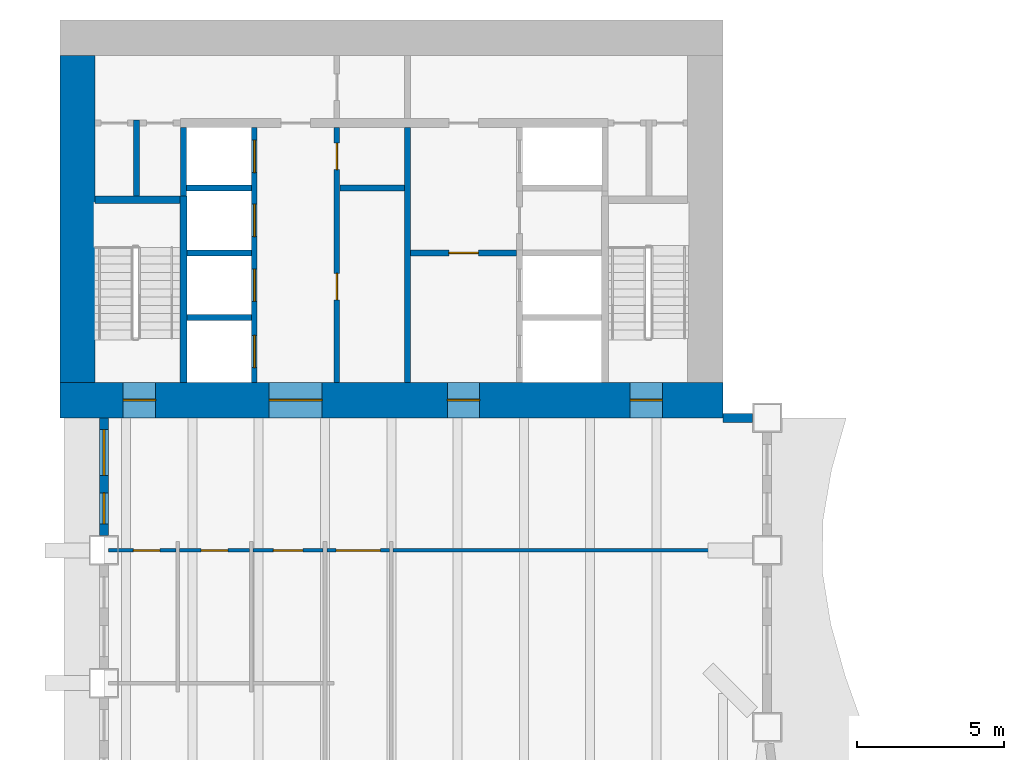
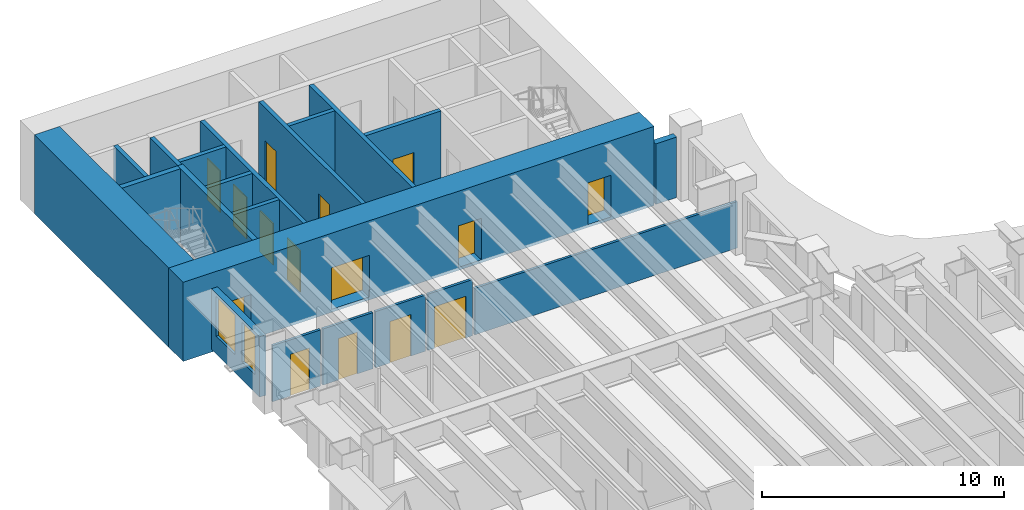
# One storey, part 8 of 16: 21 walls, 15 doors, 2 windows, 17 openings.
"""IFC4 building model written with IfcOpenShell, lengths in metres."""

import ifcopenshell
import ifcopenshell.guid

model = None  # the IFC model being written
_history = None  # IfcOwnerHistory: only IFC2X3 demands one
_inside = {}  # id of a spatial element -> (the spatial element, [elements in it])
_under = {}  # id of a project, library or spatial element -> (it, [spatial elements below it])
_declared = {}  # id of a project -> (the project, [libraries it declares])
_typed = {}  # id of a type object -> (the type object, [elements of that type])
_made_of = {}  # id of a material, layer set ... -> (it, [elements and type objects made of it])


def new_model(schema):
    """Start an empty IFC model of exactly this schema.

    Asked for "IFC4X3", IfcOpenShell would pick the latest addendum, in which some entities
    have other attributes; the version numbers below select the first issue.
    IFC2X3 requires an IfcOwnerHistory on every rooted entity: one is made here for all.
    """
    global model, _history
    if schema == "IFC4X3":
        model = ifcopenshell.file(schema_version=(4, 3, 0, 0))
    else:
        model = ifcopenshell.file(schema=schema)
    _inside.clear()
    _under.clear()
    _declared.clear()
    _typed.clear()
    _made_of.clear()
    _history = None
    if model.schema == "IFC2X3":
        org = make("IfcOrganization", Name="unknown")
        user = make(
            "IfcPersonAndOrganization",
            ThePerson=make("IfcPerson", FamilyName="unknown"),
            TheOrganization=org,
        )
        app = make(
            "IfcApplication",
            ApplicationDeveloper=org,
            Version="unknown",
            ApplicationFullName="unknown",
            ApplicationIdentifier="unknown",
        )
        _history = make(
            "IfcOwnerHistory",
            OwningUser=user,
            OwningApplication=app,
            ChangeAction="ADDED",
            CreationDate=0,
        )
    return model


def make(cls, **values):
    """One entity of the class cls with the attributes given. An attribute that is None is left unset."""
    return model.create_entity(
        cls, **{name: value for name, value in values.items() if value is not None}
    )


def rooted(cls, **values):
    """An entity with a GlobalId (a new one), such as an element, a storey or a relation."""
    return make(cls, GlobalId=ifcopenshell.guid.new(), OwnerHistory=_history, **values)


def si_unit(unit_type, name, prefix=None):
    """IfcSIUnit, for example si_unit("LENGTHUNIT", "METRE", prefix="MILLI")."""
    return make("IfcSIUnit", UnitType=unit_type, Prefix=prefix, Name=name)


def assignment(units):
    """IfcUnitAssignment: the units of a project."""
    return None if units is None else make("IfcUnitAssignment", Units=units)


def point(xyz):
    """IfcCartesianPoint."""
    return None if xyz is None else make("IfcCartesianPoint", Coordinates=xyz)


def direction(xyz):
    """IfcDirection."""
    return None if xyz is None else make("IfcDirection", DirectionRatios=xyz)


def frame(location, z_axis=None, x_axis=None):
    """IfcAxis2Placement3D, a coordinate frame: its origin and axes. An axis left out is left unset."""
    return make(
        "IfcAxis2Placement3D",
        Location=point(location),
        Axis=direction(z_axis),
        RefDirection=direction(x_axis),
    )


def frame_2d(location, x_axis=None):
    """IfcAxis2Placement2D, a coordinate frame in the plane: its origin and x axis."""
    return make(
        "IfcAxis2Placement2D", Location=point(location), RefDirection=direction(x_axis)
    )


def origin():
    """The frame at (0, 0, 0) with its axes left unset."""
    return frame((0.0, 0.0, 0.0))


def place(relative_to, where):
    """IfcLocalPlacement: puts the frame where relative to a parent placement (None: the world)."""
    return make(
        "IfcLocalPlacement", PlacementRelTo=relative_to, RelativePlacement=where
    )


def context(
    kind, dimensions, precision=None, world=None, true_north=None, identifier=None
):
    """IfcGeometricRepresentationContext, for example the 3D "Model" context."""
    return make(
        "IfcGeometricRepresentationContext",
        ContextIdentifier=identifier,
        ContextType=kind,
        CoordinateSpaceDimension=dimensions,
        Precision=precision,
        WorldCoordinateSystem=world,
        TrueNorth=true_north,
    )


def subcontext(parent, identifier, kind, view, scale=None):
    """IfcGeometricRepresentationSubContext, for example "Body" below "Model"."""
    return make(
        "IfcGeometricRepresentationSubContext",
        ContextIdentifier=identifier,
        ContextType=kind,
        ParentContext=parent,
        TargetScale=scale,
        TargetView=view,
    )


def project(units=None, contexts=None):
    """IfcProject with its units and contexts."""
    return rooted(
        "IfcProject",
        Name="project",
        RepresentationContexts=contexts,
        UnitsInContext=assignment(units),
    )


def spatial(cls, under=None, at=None, **own):
    """A site, building, storey or space (cls), placed at a placement, below another one or the project."""
    s = rooted(cls, ObjectPlacement=at, **own)
    if under is not None:
        _under.setdefault(under.id(), (under, []))[1].append(s)
    return s


def profile(cls, at=None, kind="AREA", **sizes):
    """A parametric profile (cls). Its sizes go by their IFC names, for example OverallWidth=200.0."""
    return make(cls, ProfileType=kind, Position=at, **sizes)


def rectangle(**sizes):
    """IfcRectangleProfileDef."""
    return profile("IfcRectangleProfileDef", **sizes)


def extrude(swept, where, along, depth):
    """IfcExtrudedAreaSolid: the profile swept, set in the frame where, extruded along a direction by depth."""
    return make(
        "IfcExtrudedAreaSolid",
        SweptArea=swept,
        Position=where,
        ExtrudedDirection=direction(along),
        Depth=depth,
    )


def shape(context_of_items, identifier, shape_type, items):
    """IfcShapeRepresentation: the items that make up one representation, for example the "Body"."""
    return make(
        "IfcShapeRepresentation",
        ContextOfItems=context_of_items,
        RepresentationIdentifier=identifier,
        RepresentationType=shape_type,
        Items=items,
    )


def material(Name=None, Category=None):
    """IfcMaterial."""
    return make("IfcMaterial", Name=Name, Category=Category)


def layer(
    of_material, thickness, ventilated=None, Name=None, Category=None, Priority=None
):
    """IfcMaterialLayer: one layer of a wall or slab, of a material (None: an air gap)."""
    return make(
        "IfcMaterialLayer",
        Material=of_material,
        LayerThickness=thickness,
        IsVentilated=ventilated,
        Name=Name,
        Category=Category,
        Priority=Priority,
    )


def layer_set(layers, Name=None):
    """IfcMaterialLayerSet."""
    return make("IfcMaterialLayerSet", MaterialLayers=layers, LayerSetName=Name)


def made_of(thing, what):
    """Note that an element or type object is made of a material, layer set ...; save() writes the relation."""
    if what is not None:
        _made_of.setdefault(what.id(), (what, []))[1].append(thing)
    return thing


def type_object(cls, material=None, **own):
    """A type object (cls), such as IfcWallType, which elements share."""
    return made_of(rooted(cls, **own), material)


def element(
    cls,
    number,
    at=None,
    inside=None,
    cuts=None,
    type_object=None,
    material=None,
    context=None,
    identifier="Body",
    shape_type=None,
    held_by="IfcProductDefinitionShape",
    body=None,
    shapes=None,
    **own,
):
    """One element of the class cls, such as IfcWall. Its Tag is "e" and its number.

    at: its placement. inside: the storey or other place that contains it. cuts: it is an
    opening in that element (IfcRelVoidsElement). A single representation is given by context,
    identifier, shape_type and body (its items); several are given by shapes. held_by: the class
    of the entity that holds the representations. save() writes the other relations.
    """
    e = rooted(cls, Tag="e%d" % number, ObjectPlacement=at, **own)
    if body is not None:
        shapes = [shape(context, identifier, shape_type, body)]
    if shapes is not None:
        e.Representation = make(held_by, Representations=shapes)
    if inside is not None:
        _inside.setdefault(inside.id(), (inside, []))[1].append(e)
    if cuts is not None:
        rooted(
            "IfcRelVoidsElement", RelatingBuildingElement=cuts, RelatedOpeningElement=e
        )
    if type_object is not None:
        _typed.setdefault(type_object.id(), (type_object, []))[1].append(e)
    return made_of(e, material)


def fill(opening, filler):
    """IfcRelFillsElement: the door or window that sits in an opening."""
    return rooted(
        "IfcRelFillsElement",
        RelatingOpeningElement=opening,
        RelatedBuildingElement=filler,
    )


def aggregate(whole, parts):
    """IfcRelAggregates: a whole, such as a stair, and the parts it consists of."""
    return rooted("IfcRelAggregates", RelatingObject=whole, RelatedObjects=parts)


def save(model, path):
    """Write the relations noted so far, then the file.

    IfcRelAggregates (storeys below a building ...), IfcRelContainedInSpatialStructure (elements
    in a storey), IfcRelDefinesByType, IfcRelAssociatesMaterial and IfcRelDeclares: one each for
    every whole, place, type object, material and project.
    """
    for whole, parts in _under.values():
        aggregate(whole, parts)
    for where, things in _inside.values():
        rooted(
            "IfcRelContainedInSpatialStructure",
            RelatedElements=things,
            RelatingStructure=where,
        )
    for kind, things in _typed.values():
        rooted("IfcRelDefinesByType", RelatedObjects=things, RelatingType=kind)
    for what, things in _made_of.values():
        rooted("IfcRelAssociatesMaterial", RelatedObjects=things, RelatingMaterial=what)
    for by, libraries in _declared.values():
        rooted("IfcRelDeclares", RelatingContext=by, RelatedDefinitions=libraries)
    model.write(path)


model = new_model("IFC4")

# Units and contexts
model_context = context("Model", 3, precision=1e-05, world=origin(), true_north=direction((0.0, 1.0)))
body_context = subcontext(model_context, "Body", "Model", "MODEL_VIEW")
ifc_project = project(units=[si_unit("LENGTHUNIT", "METRE"), si_unit("AREAUNIT", "SQUARE_METRE"), si_unit("VOLUMEUNIT", "CUBIC_METRE"), si_unit("PLANEANGLEUNIT", "RADIAN"), si_unit("MASSUNIT", "GRAM", prefix="KILO")], contexts=[model_context])

# Site, building, storey
site_placement = place(None, origin())
site = spatial("IfcSite", under=ifc_project, at=site_placement, CompositionType="ELEMENT")
building_placement = place(site_placement, origin())
building = spatial("IfcBuilding", under=site, at=building_placement, Name="Sennacour Bend Tower", CompositionType="ELEMENT")
storey_placement = place(building_placement, frame((0.0, 0.0, 127.0)))
storey = spatial("IfcBuildingStorey", under=building, at=storey_placement, Name="L29", CompositionType="ELEMENT", Elevation=127.0)

# Wall, openings, doors
ifc_material_1 = material(Name="Concrete C80/95", Category="concrete")
ifc_layer_1 = layer(ifc_material_1, 1.199951171875, Name="Concrete C80/95", Category="concrete")
ifc_layer_set_1 = layer_set([ifc_layer_1], Name="Concrete C80/95")
wall_type_1 = type_object("IfcWallType", Name="Core wall 1200 C80/95", PredefinedType="SHEAR", material=ifc_layer_set_1)
wall_1_placement = place(storey_placement, frame((0.0, 36.60009765625, -0.14990234375), z_axis=(0.0, 0.0, 1.0), x_axis=(1.0, 0.0, 0.0)))
wall_1 = element("IfcWall", 1, at=wall_1_placement, inside=storey, type_object=wall_type_1, Name="Core B wall L29 S", PredefinedType="SHEAR", context=body_context, shape_type="SweptSolid", body=[
    extrude(rectangle(XDim=22.5, YDim=1.199951171875, at=frame_2d((11.25, 0.0))), origin(), (0.0, 0.0, 1.0), 4.0),
])
opening_1_placement = place(wall_1_placement, frame((7.10009765625, 0.0, 0.14990234375)))
opening_1 = element("IfcOpeningElement", 2, at=opening_1_placement, cuts=wall_1, Name="Opening CD", PredefinedType="OPENING", context=body_context, shape_type="SweptSolid", body=[
    extrude(rectangle(XDim=1.800048828125, YDim=2.10009765625, at=frame_2d((0.89990234375, 1.050048828125))), frame((0.0, 0.60986328125, 0.0), z_axis=(0.0, -1.0, 0.0), x_axis=(1.0, 0.0, 0.0)), (0.0, 0.0, 1.0), 1.219970703125),
])
opening_2_placement = place(wall_1_placement, frame((13.14990234375, 0.0, 0.14990234375)))
opening_2 = element("IfcOpeningElement", 3, at=opening_2_placement, cuts=wall_1, Name="Opening FD", PredefinedType="OPENING", context=body_context, shape_type="SweptSolid", body=[
    extrude(rectangle(XDim=1.10009765625, YDim=2.10009765625, at=frame_2d((0.550048828125, 1.050048828125))), frame((0.0, 0.60986328125, 0.0), z_axis=(0.0, -1.0, 0.0), x_axis=(1.0, 0.0, 0.0)), (0.0, 0.0, 1.0), 1.219970703125),
])
opening_3_placement = place(wall_1_placement, frame((2.14990234375, 0.0, 0.14990234375)))
opening_3 = element("IfcOpeningElement", 4, at=opening_3_placement, cuts=wall_1, Name="Opening SD", PredefinedType="OPENING", context=body_context, shape_type="SweptSolid", body=[
    extrude(rectangle(XDim=1.10009765625, YDim=2.10009765625, at=frame_2d((0.550048828125, 1.050048828125))), frame((0.0, 0.60986328125, 0.0), z_axis=(0.0, -1.0, 0.0), x_axis=(1.0, 0.0, 0.0)), (0.0, 0.0, 1.0), 1.219970703125),
])
opening_4_placement = place(wall_1_placement, frame((19.35009765625, 0.0, 0.14990234375)))
opening_4 = element("IfcOpeningElement", 5, at=opening_4_placement, cuts=wall_1, Name="Opening SD", PredefinedType="OPENING", context=body_context, shape_type="SweptSolid", body=[
    extrude(rectangle(XDim=1.10009765625, YDim=2.10009765625, at=frame_2d((0.550048828125, 1.050048828125))), frame((0.0, 0.60986328125, 0.0), z_axis=(0.0, -1.0, 0.0), x_axis=(1.0, 0.0, 0.0)), (0.0, 0.0, 1.0), 1.219970703125),
])
ifc_material_2 = material(Name="Painted steel", Category="steel")
door_type_1 = type_object("IfcDoorType", Name="DR-FFL-1100", OperationType="NOTDEFINED", PredefinedType="DOOR", material=ifc_material_2)
door_1_placement = place(opening_2_placement, origin())
door_1 = element("IfcDoor", 6, at=door_1_placement, inside=storey, type_object=door_type_1, Name="Door", OperationType="SINGLE_SWING_RIGHT", OverallHeight=2.10009765625, OverallWidth=1.10009765625, PredefinedType="DOOR", context=body_context, shape_type="SweptSolid", body=[
    extrude(rectangle(XDim=1.10009765625, YDim=2.10009765625, at=frame_2d((0.550048828125, 1.050048828125))), frame((0.0, 0.02490234375, 0.0), z_axis=(0.0, -1.0, 0.0), x_axis=(1.0, 0.0, 0.0)), (0.0, 0.0, 1.0), 0.050048828125),
])
fill(opening_2, door_1)
door_type_2 = type_object("IfcDoorType", Name="DR-LOBBY-1800", OperationType="NOTDEFINED", PredefinedType="DOOR", material=ifc_material_2)
door_2_placement = place(opening_1_placement, origin())
door_2 = element("IfcDoor", 7, at=door_2_placement, inside=storey, type_object=door_type_2, Name="Door", OperationType="DOUBLE_DOOR_SINGLE_SWING", OverallHeight=2.10009765625, OverallWidth=1.800048828125, PredefinedType="DOOR", context=body_context, shape_type="SweptSolid", body=[
    extrude(rectangle(XDim=1.800048828125, YDim=2.10009765625, at=frame_2d((0.89990234375, 1.050048828125))), frame((0.0, 0.02490234375, 0.0), z_axis=(0.0, -1.0, 0.0), x_axis=(1.0, 0.0, 0.0)), (0.0, 0.0, 1.0), 0.050048828125),
])
fill(opening_1, door_2)
door_type_3 = type_object("IfcDoorType", Name="DR-STAIR-1100", OperationType="NOTDEFINED", PredefinedType="DOOR", material=ifc_material_2)
door_3_placement = place(opening_3_placement, origin())
door_3 = element("IfcDoor", 8, at=door_3_placement, inside=storey, type_object=door_type_3, Name="Door", OperationType="SINGLE_SWING_LEFT", OverallHeight=2.10009765625, OverallWidth=1.10009765625, PredefinedType="DOOR", context=body_context, shape_type="SweptSolid", body=[
    extrude(rectangle(XDim=1.10009765625, YDim=2.10009765625, at=frame_2d((0.550048828125, 1.050048828125))), frame((0.0, 0.02490234375, 0.0), z_axis=(0.0, -1.0, 0.0), x_axis=(1.0, 0.0, 0.0)), (0.0, 0.0, 1.0), 0.050048828125),
])
fill(opening_3, door_3)
door_4_placement = place(opening_4_placement, origin())
door_4 = element("IfcDoor", 9, at=door_4_placement, inside=storey, type_object=door_type_3, Name="Door", OperationType="SINGLE_SWING_RIGHT", OverallHeight=2.10009765625, OverallWidth=1.10009765625, PredefinedType="DOOR", context=body_context, shape_type="SweptSolid", body=[
    extrude(rectangle(XDim=1.10009765625, YDim=2.10009765625, at=frame_2d((0.550048828125, 1.050048828125))), frame((0.0, 0.02490234375, 0.0), z_axis=(0.0, -1.0, 0.0), x_axis=(1.0, 0.0, 0.0)), (0.0, 0.0, 1.0), 0.050048828125),
])
fill(opening_4, door_4)

# Wall
wall_2_placement = place(storey_placement, frame((0.60009765625, 37.199951171875, -0.14990234375), z_axis=(0.0, 0.0, 1.0), x_axis=(0.0, 1.0, 0.0)))
element("IfcWall", 10, at=wall_2_placement, inside=storey, type_object=wall_type_1, Name="Core B wall L29 W", PredefinedType="SHEAR", context=body_context, shape_type="SweptSolid", body=[
    extrude(rectangle(XDim=11.10009765625, YDim=1.199951171875, at=frame_2d((5.550048828125, 0.0))), origin(), (0.0, 0.0, 1.0), 4.0),
])

# Wall, opening, door
ifc_material_3 = material(Name="Plasterboard partition on steel studs", Category="steel")
ifc_layer_2 = layer(ifc_material_3, 0.1201171875, Name="Plasterboard partition on steel studs", Category="steel")
ifc_layer_set_2 = layer_set([ifc_layer_2], Name="Plasterboard partition on steel studs")
wall_type_2 = type_object("IfcWallType", Name="Partition 120", PredefinedType="PARTITIONING", material=ifc_layer_set_2)
wall_3_placement = place(storey_placement, frame((1.64990234375, 31.5, 0.0), z_axis=(0.0, 0.0, 1.0), x_axis=(1.0, 0.0, 0.0)))
wall_3 = element("IfcWall", 11, at=wall_3_placement, inside=storey, type_object=wall_type_2, Name="P-L29-W074aa", PredefinedType="PARTITIONING", context=body_context, shape_type="SweptSolid", body=[
    extrude(rectangle(XDim=2.2900390625, YDim=0.1201171875, at=frame_2d((1.14501953125, 0.0))), origin(), (0.0, 0.0, 1.0), 2.837890625),
])
opening_5_placement = place(wall_3_placement, frame((0.85009765625, 0.0, 0.0)))
opening_5 = element("IfcOpeningElement", 12, at=opening_5_placement, cuts=wall_3, Name="Opening WD", PredefinedType="OPENING", context=body_context, shape_type="SweptSolid", body=[
    extrude(rectangle(XDim=0.89990234375, YDim=2.10009765625, at=frame_2d((0.449951171875, 1.050048828125))), frame((0.0, 0.070068359375, 0.0), z_axis=(0.0, -1.0, 0.0), x_axis=(1.0, 0.0, 0.0)), (0.0, 0.0, 1.0), 0.14013671875),
])
ifc_material_4 = material(Name="Timber", Category="wood")
door_type_4 = type_object("IfcDoorType", Name="DR-WC-900", OperationType="NOTDEFINED", PredefinedType="DOOR", material=ifc_material_4)
door_5_placement = place(opening_5_placement, origin())
door_5 = element("IfcDoor", 13, at=door_5_placement, inside=storey, type_object=door_type_4, Name="Door", OperationType="SINGLE_SWING_RIGHT", OverallHeight=2.10009765625, OverallWidth=0.89990234375, PredefinedType="DOOR", context=body_context, shape_type="SweptSolid", body=[
    extrude(rectangle(XDim=0.89990234375, YDim=2.10009765625, at=frame_2d((0.449951171875, 1.050048828125))), frame((0.0, 0.02490234375, 0.0), z_axis=(0.0, -1.0, 0.0), x_axis=(1.0, 0.0, 0.0)), (0.0, 0.0, 1.0), 0.050048828125),
])
fill(opening_5, door_5)

wall_4_placement = place(storey_placement, frame((4.06005859375, 31.5, 0.0), z_axis=(0.0, 0.0, 1.0), x_axis=(1.0, 0.0, 0.0)))
wall_4 = element("IfcWall", 14, at=wall_4_placement, inside=storey, type_object=wall_type_2, Name="P-L29-W074ab", PredefinedType="PARTITIONING", context=body_context, shape_type="SweptSolid", body=[
    extrude(rectangle(XDim=2.3798828125, YDim=0.1201171875, at=frame_2d((1.18994140625, 0.0))), origin(), (0.0, 0.0, 1.0), 2.837890625),
])
opening_6_placement = place(wall_4_placement, frame((0.739990234375, 0.0, 0.0)))
opening_6 = element("IfcOpeningElement", 15, at=opening_6_placement, cuts=wall_4, Name="Opening WD", PredefinedType="OPENING", context=body_context, shape_type="SweptSolid", body=[
    extrude(rectangle(XDim=0.89990234375, YDim=2.10009765625, at=frame_2d((0.449951171875, 1.050048828125))), frame((0.0, 0.070068359375, 0.0), z_axis=(0.0, -1.0, 0.0), x_axis=(1.0, 0.0, 0.0)), (0.0, 0.0, 1.0), 0.14013671875),
])
door_6_placement = place(opening_6_placement, origin())
door_6 = element("IfcDoor", 16, at=door_6_placement, inside=storey, type_object=door_type_4, Name="Door", OperationType="SINGLE_SWING_LEFT", OverallHeight=2.10009765625, OverallWidth=0.89990234375, PredefinedType="DOOR", context=body_context, shape_type="SweptSolid", body=[
    extrude(rectangle(XDim=0.89990234375, YDim=2.10009765625, at=frame_2d((0.449951171875, 1.050048828125))), frame((0.0, 0.02490234375, 0.0), z_axis=(0.0, -1.0, 0.0), x_axis=(1.0, 0.0, 0.0)), (0.0, 0.0, 1.0), 0.050048828125),
])
fill(opening_6, door_6)

wall_5_placement = place(storey_placement, frame((6.56005859375, 31.5, 0.0), z_axis=(0.0, 0.0, 1.0), x_axis=(1.0, 0.0, 0.0)))
wall_5 = element("IfcWall", 17, at=wall_5_placement, inside=storey, type_object=wall_type_2, Name="P-L29-W074ac", PredefinedType="PARTITIONING", context=body_context, shape_type="SweptSolid", body=[
    extrude(rectangle(XDim=2.3798828125, YDim=0.1201171875, at=frame_2d((1.18994140625, 0.0))), origin(), (0.0, 0.0, 1.0), 2.837890625),
])
opening_7_placement = place(wall_5_placement, frame((0.68994140625, 0.0, 0.0)))
opening_7 = element("IfcOpeningElement", 18, at=opening_7_placement, cuts=wall_5, Name="Opening AD", PredefinedType="OPENING", context=body_context, shape_type="SweptSolid", body=[
    extrude(rectangle(XDim=1.0, YDim=2.10009765625, at=frame_2d((0.5, 1.050048828125))), frame((0.0, 0.070068359375, 0.0), z_axis=(0.0, -1.0, 0.0), x_axis=(1.0, 0.0, 0.0)), (0.0, 0.0, 1.0), 0.14013671875),
])
door_type_5 = type_object("IfcDoorType", Name="DR-ACC-WC-1000", OperationType="NOTDEFINED", PredefinedType="DOOR", material=ifc_material_4)
door_7_placement = place(opening_7_placement, origin())
door_7 = element("IfcDoor", 19, at=door_7_placement, inside=storey, type_object=door_type_5, Name="Door", OperationType="SINGLE_SWING_LEFT", OverallHeight=2.10009765625, OverallWidth=1.0, PredefinedType="DOOR", context=body_context, shape_type="SweptSolid", body=[
    extrude(rectangle(XDim=1.0, YDim=2.10009765625, at=frame_2d((0.5, 1.050048828125))), frame((0.0, 0.02490234375, 0.0), z_axis=(0.0, -1.0, 0.0), x_axis=(1.0, 0.0, 0.0)), (0.0, 0.0, 1.0), 0.050048828125),
])
fill(opening_7, door_7)

# Wall
wall_6_placement = place(storey_placement, frame((11.31005859375, 31.5, 0.0), z_axis=(0.0, 0.0, 1.0), x_axis=(1.0, 0.0, 0.0)))
element("IfcWall", 20, at=wall_6_placement, inside=storey, type_object=wall_type_2, Name="P-L29-W074ae", PredefinedType="PARTITIONING", context=body_context, shape_type="SweptSolid", body=[
    extrude(rectangle(XDim=12.5400390625, YDim=0.1201171875, at=frame_2d((6.27001953125, 0.0))), origin(), (0.0, 0.0, 1.0), 2.35009765625),
])

# Wall, opening, door
ifc_layer_3 = layer(ifc_material_3, 0.1201171875, Name="Plasterboard partition on steel studs", Category="steel")
ifc_layer_set_3 = layer_set([ifc_layer_3], Name="Plasterboard partition on steel studs")
wall_type_3 = type_object("IfcWallType", Name="Partition 120 EI 30", PredefinedType="PARTITIONING", material=ifc_layer_set_3)
wall_7_placement = place(storey_placement, frame((9.06005859375, 31.5, 0.0), z_axis=(0.0, 0.0, 1.0), x_axis=(1.0, 0.0, 0.0)))
wall_7 = element("IfcWall", 21, at=wall_7_placement, inside=storey, type_object=wall_type_3, Name="P-L29-W074ad", PredefinedType="PARTITIONING", context=body_context, shape_type="SweptSolid", body=[
    extrude(rectangle(XDim=2.1298828125, YDim=0.1201171875, at=frame_2d((1.06494140625, 0.0))), origin(), (0.0, 0.0, 1.0), 2.837890625),
])
opening_8_placement = place(wall_7_placement, frame((0.31494140625, 0.0, 0.0)))
opening_8 = element("IfcOpeningElement", 22, at=opening_8_placement, cuts=wall_7, Name="Opening KD", PredefinedType="OPENING", context=body_context, shape_type="SweptSolid", body=[
    extrude(rectangle(XDim=1.5, YDim=2.10009765625, at=frame_2d((0.75, 1.050048828125))), frame((0.0, 0.070068359375, 0.0), z_axis=(0.0, -1.0, 0.0), x_axis=(1.0, 0.0, 0.0)), (0.0, 0.0, 1.0), 0.14013671875),
])
door_type_6 = type_object("IfcDoorType", Name="DR-CORRIDOR-1500", OperationType="NOTDEFINED", PredefinedType="DOOR", material=ifc_material_2)
door_8_placement = place(opening_8_placement, origin())
door_8 = element("IfcDoor", 23, at=door_8_placement, inside=storey, type_object=door_type_6, Name="Door", OperationType="SINGLE_SWING_LEFT", OverallHeight=2.10009765625, OverallWidth=1.5, PredefinedType="DOOR", context=body_context, shape_type="SweptSolid", body=[
    extrude(rectangle(XDim=1.5, YDim=2.10009765625, at=frame_2d((0.75, 1.050048828125))), frame((0.0, 0.02490234375, 0.0), z_axis=(0.0, -1.0, 0.0), x_axis=(1.0, 0.0, 0.0)), (0.0, 0.0, 1.0), 0.050048828125),
])
fill(opening_8, door_8)

# Wall
ifc_material_5 = material(Name="Fire-rated plasterboard partition on steel studs", Category="steel")
ifc_layer_4 = layer(ifc_material_5, 0.199951171875, Name="Fire-rated plasterboard partition on steel studs", Category="steel")
ifc_layer_set_4 = layer_set([ifc_layer_4], Name="Fire-rated plasterboard partition on steel studs")
wall_type_4 = type_object("IfcWallType", Name="Rated partition 200", PredefinedType="PARTITIONING", material=ifc_layer_set_4)
wall_8_placement = place(storey_placement, frame((2.60009765625, 43.52490234375, 0.0), z_axis=(0.0, 0.0, 1.0), x_axis=(0.0, 1.0, 0.0)))
element("IfcWall", 24, at=wall_8_placement, inside=storey, type_object=wall_type_4, Name="P-L29-W004", PredefinedType="PARTITIONING", context=body_context, shape_type="SweptSolid", body=[
    extrude(rectangle(XDim=2.5751953125, YDim=0.199951171875, at=frame_2d((1.28759765625, 0.0))), origin(), (0.0, 0.0, 1.0), 3.75),
])

# Wall, openings, doors
wall_9_placement = place(storey_placement, frame((9.39990234375, 37.199951171875, 0.0), z_axis=(0.0, 0.0, 1.0), x_axis=(0.0, 1.0, 0.0)))
wall_9 = element("IfcWall", 25, at=wall_9_placement, inside=storey, type_object=wall_type_4, Name="P-L29-W012a", PredefinedType="PARTITIONING", context=body_context, shape_type="SweptSolid", body=[
    extrude(rectangle(XDim=8.650146484375, YDim=0.199951171875, at=frame_2d((4.3251953125, 0.0))), origin(), (0.0, 0.0, 1.0), 3.75),
])
opening_9_placement = place(wall_9_placement, frame((2.800048828125, 0.0, 0.0)))
opening_9 = element("IfcOpeningElement", 26, at=opening_9_placement, cuts=wall_9, Name="Opening SV", PredefinedType="OPENING", context=body_context, shape_type="SweptSolid", body=[
    extrude(rectangle(XDim=0.89990234375, YDim=2.10009765625, at=frame_2d((0.449951171875, 1.050048828125))), frame((0.0, 0.10986328125, 0.0), z_axis=(0.0, -1.0, 0.0), x_axis=(1.0, 0.0, 0.0)), (0.0, 0.0, 1.0), 0.219970703125),
])
opening_10_placement = place(wall_9_placement, frame((7.22509765625, 0.0, 0.0)))
opening_10 = element("IfcOpeningElement", 27, at=opening_10_placement, cuts=wall_9, Name="Opening SV", PredefinedType="OPENING", context=body_context, shape_type="SweptSolid", body=[
    extrude(rectangle(XDim=0.89990234375, YDim=2.10009765625, at=frame_2d((0.449951171875, 1.050048828125))), frame((0.0, 0.10986328125, 0.0), z_axis=(0.0, -1.0, 0.0), x_axis=(1.0, 0.0, 0.0)), (0.0, 0.0, 1.0), 0.219970703125),
])
door_type_7 = type_object("IfcDoorType", Name="DR-SERVICE-900", OperationType="NOTDEFINED", PredefinedType="DOOR", material=ifc_material_2)
door_9_placement = place(opening_9_placement, origin())
door_9 = element("IfcDoor", 28, at=door_9_placement, inside=storey, type_object=door_type_7, Name="Door", OperationType="SINGLE_SWING_LEFT", OverallHeight=2.10009765625, OverallWidth=0.89990234375, PredefinedType="DOOR", context=body_context, shape_type="SweptSolid", body=[
    extrude(rectangle(XDim=0.89990234375, YDim=2.10009765625, at=frame_2d((0.449951171875, 1.050048828125))), frame((0.0, 0.02490234375, 0.0), z_axis=(0.0, -1.0, 0.0), x_axis=(1.0, 0.0, 0.0)), (0.0, 0.0, 1.0), 0.050048828125),
])
fill(opening_9, door_9)
door_10_placement = place(opening_10_placement, origin())
door_10 = element("IfcDoor", 29, at=door_10_placement, inside=storey, type_object=door_type_7, Name="Door", OperationType="SINGLE_SWING_RIGHT", OverallHeight=2.10009765625, OverallWidth=0.89990234375, PredefinedType="DOOR", context=body_context, shape_type="SweptSolid", body=[
    extrude(rectangle(XDim=0.89990234375, YDim=2.10009765625, at=frame_2d((0.449951171875, 1.050048828125))), frame((0.0, 0.02490234375, 0.0), z_axis=(0.0, -1.0, 0.0), x_axis=(1.0, 0.0, 0.0)), (0.0, 0.0, 1.0), 0.050048828125),
])
fill(opening_10, door_10)

# Walls
wall_10_placement = place(storey_placement, frame((11.800048828125, 37.199951171875, 0.0), z_axis=(0.0, 0.0, 1.0), x_axis=(0.0, 1.0, 0.0)))
element("IfcWall", 30, at=wall_10_placement, inside=storey, type_object=wall_type_4, Name="P-L29-W014a", PredefinedType="PARTITIONING", context=body_context, shape_type="SweptSolid", body=[
    extrude(rectangle(XDim=8.650146484375, YDim=0.199951171875, at=frame_2d((4.3251953125, 0.0))), origin(), (0.0, 0.0, 1.0), 3.75),
])
wall_11_placement = place(storey_placement, frame((9.5, 43.800048828125, 0.0), z_axis=(0.0, 0.0, 1.0), x_axis=(1.0, 0.0, 0.0)))
element("IfcWall", 31, at=wall_11_placement, inside=storey, type_object=wall_type_4, Name="P-L29-W084", PredefinedType="PARTITIONING", context=body_context, shape_type="SweptSolid", body=[
    extrude(rectangle(XDim=2.199951171875, YDim=0.199951171875, at=frame_2d((1.10009765625, 0.0))), origin(), (0.0, 0.0, 1.0), 3.75),
])

# Wall, opening, door
ifc_layer_5 = layer(ifc_material_5, 0.199951171875, Name="Fire-rated plasterboard partition on steel studs", Category="steel")
ifc_layer_set_5 = layer_set([ifc_layer_5], Name="Fire-rated plasterboard partition on steel studs")
wall_type_5 = type_object("IfcWallType", Name="Rated partition 200 EI 90", PredefinedType="PARTITIONING", material=ifc_layer_set_5)
wall_12_placement = place(storey_placement, frame((11.89990234375, 41.60009765625, 0.0), z_axis=(0.0, 0.0, 1.0), x_axis=(1.0, 0.0, 0.0)))
wall_12 = element("IfcWall", 32, at=wall_12_placement, inside=storey, type_object=wall_type_5, Name="P-L29-W079", PredefinedType="PARTITIONING", context=body_context, shape_type="SweptSolid", body=[
    extrude(rectangle(XDim=3.60009765625, YDim=0.199951171875, at=frame_2d((1.800048828125, 0.0))), origin(), (0.0, 0.0, 1.0), 3.75),
])
opening_11_placement = place(wall_12_placement, frame((1.300048828125, 0.0, 0.0)))
opening_11 = element("IfcOpeningElement", 33, at=opening_11_placement, cuts=wall_12, Name="Opening FD2", PredefinedType="OPENING", context=body_context, shape_type="SweptSolid", body=[
    extrude(rectangle(XDim=1.0, YDim=2.10009765625, at=frame_2d((0.5, 1.050048828125))), frame((0.0, 0.10986328125, 0.0), z_axis=(0.0, -1.0, 0.0), x_axis=(1.0, 0.0, 0.0)), (0.0, 0.0, 1.0), 0.219970703125),
])
door_type_8 = type_object("IfcDoorType", Name="DR-FFL-1000", OperationType="NOTDEFINED", PredefinedType="DOOR", material=ifc_material_2)
door_11_placement = place(opening_11_placement, origin())
door_11 = element("IfcDoor", 34, at=door_11_placement, inside=storey, type_object=door_type_8, Name="Door", OperationType="SINGLE_SWING_LEFT", OverallHeight=2.10009765625, OverallWidth=1.0, PredefinedType="DOOR", context=body_context, shape_type="SweptSolid", body=[
    extrude(rectangle(XDim=1.0, YDim=2.10009765625, at=frame_2d((0.5, 1.050048828125))), frame((0.0, 0.02490234375, 0.0), z_axis=(0.0, -1.0, 0.0), x_axis=(1.0, 0.0, 0.0)), (0.0, 0.0, 1.0), 0.050048828125),
])
fill(opening_11, door_11)

# Wall
ifc_material_6 = material(Name="Warm limestone cladding", Category="masonry")
ifc_layer_6 = layer(ifc_material_6, 0.050048828125, Name="Warm limestone cladding", Category="masonry")
ifc_material_7 = material(Name="Precast concrete C40/50", Category="concrete")
ifc_layer_7 = layer(ifc_material_7, 0.25, Name="Precast concrete C40/50", Category="concrete")
ifc_layer_set_6 = layer_set([ifc_layer_6, ifc_layer_7], Name="Precast concrete C40/50 with limestone cladding")
wall_type_6 = type_object("IfcWallType", Name="STONE-CLAD PRECAST SPANDREL 300", PredefinedType="STANDARD", material=ifc_layer_set_6)
wall_13_placement = place(storey_placement, frame((23.5, 36.0, 0.0), z_axis=(0.0, 0.0, 1.0), x_axis=(-1.0, 0.0, 0.0)))
element("IfcWall", 35, at=wall_13_placement, inside=storey, type_object=wall_type_6, Name="Stone spandrel and pier wall L29 14.00", PredefinedType="STANDARD", context=body_context, shape_type="SweptSolid", body=[
    extrude(rectangle(XDim=1.0, YDim=0.300048828125, at=frame_2d((0.5, 0.0))), origin(), (0.0, 0.0, 1.0), 3.053955078125),
])

# Wall, openings, windows
wall_14_placement = place(storey_placement, frame((1.5, 36.0, 0.0), z_axis=(0.0, 0.0, 1.0), x_axis=(0.0, -1.0, 0.0)))
wall_14 = element("IfcWall", 36, at=wall_14_placement, inside=storey, type_object=wall_type_6, Name="Stone spandrel and pier wall L29 19.00", PredefinedType="STANDARD", context=body_context, shape_type="SweptSolid", body=[
    extrude(rectangle(XDim=4.0, YDim=0.300048828125, at=frame_2d((2.0, 0.0))), origin(), (0.0, 0.0, 1.0), 3.053955078125),
])
opening_12_placement = place(wall_14_placement, frame((0.39990234375, 0.0, 0.89990234375)))
opening_12 = element("IfcOpeningElement", 37, at=opening_12_placement, cuts=wall_14, Name="Opening W9", PredefinedType="OPENING", context=body_context, shape_type="SweptSolid", body=[
    extrude(rectangle(XDim=1.550048828125, YDim=2.0, at=frame_2d((0.77490234375, 1.0))), frame((0.0, 0.16015625, 0.0), z_axis=(0.0, -1.0, 0.0), x_axis=(1.0, 0.0, 0.0)), (0.0, 0.0, 1.0), 0.320068359375),
])
opening_13_placement = place(wall_14_placement, frame((2.550048828125, 0.0, 0.89990234375)))
opening_13 = element("IfcOpeningElement", 38, at=opening_13_placement, cuts=wall_14, Name="Opening W13", PredefinedType="OPENING", context=body_context, shape_type="SweptSolid", body=[
    extrude(rectangle(XDim=1.050048828125, YDim=2.0, at=frame_2d((0.52490234375, 1.0))), frame((0.0, 0.16015625, 0.0), z_axis=(0.0, -1.0, 0.0), x_axis=(1.0, 0.0, 0.0)), (0.0, 0.0, 1.0), 0.320068359375),
])
ifc_material_8 = material(Name="Clear low-emissivity glass", Category="glass")
window_type_1 = type_object("IfcWindowType", Name="WIN-RIBBON-1050x2000", PartitioningType="SINGLE_PANEL", PredefinedType="WINDOW", material=ifc_material_8)
window_1_placement = place(opening_13_placement, origin())
window_1 = element("IfcWindow", 39, at=window_1_placement, inside=storey, type_object=window_type_1, Name="Ribbon window L29 19.00.1", OverallHeight=2.0, OverallWidth=1.050048828125, PartitioningType="SINGLE_PANEL", PredefinedType="WINDOW", context=body_context, shape_type="SweptSolid", body=[
    extrude(rectangle(XDim=1.050048828125, YDim=2.0, at=frame_2d((0.52490234375, 1.0))), frame((0.0, 0.030029296875, 0.0), z_axis=(0.0, -1.0, 0.0), x_axis=(1.0, 0.0, 0.0)), (0.0, 0.0, 1.0), 0.06005859375),
])
fill(opening_13, window_1)
window_type_2 = type_object("IfcWindowType", Name="WIN-RIBBON-1550x2000", PartitioningType="SINGLE_PANEL", PredefinedType="WINDOW", material=ifc_material_8)
window_2_placement = place(opening_12_placement, origin())
window_2 = element("IfcWindow", 40, at=window_2_placement, inside=storey, type_object=window_type_2, Name="Ribbon window L29 19.00.0", OverallHeight=2.0, OverallWidth=1.550048828125, PartitioningType="SINGLE_PANEL", PredefinedType="WINDOW", context=body_context, shape_type="SweptSolid", body=[
    extrude(rectangle(XDim=1.550048828125, YDim=2.0, at=frame_2d((0.77490234375, 1.0))), frame((0.0, 0.030029296875, 0.0), z_axis=(0.0, -1.0, 0.0), x_axis=(1.0, 0.0, 0.0)), (0.0, 0.0, 1.0), 0.06005859375),
])
fill(opening_12, window_2)

# Wall
ifc_material_9 = material(Name="Concrete C50/60", Category="concrete")
ifc_layer_8 = layer(ifc_material_9, 0.199951171875, Name="Concrete C50/60", Category="concrete")
ifc_layer_set_7 = layer_set([ifc_layer_8], Name="Concrete C50/60")
wall_type_7 = type_object("IfcWallType", Name="Shaft wall 200", PredefinedType="SOLIDWALL", material=ifc_layer_set_7)
wall_15_placement = place(storey_placement, frame((4.199951171875, 43.52490234375, 0.0), z_axis=(0.0, 0.0, 1.0), x_axis=(0.0, 1.0, 0.0)))
element("IfcWall", 41, at=wall_15_placement, inside=storey, type_object=wall_type_7, Name="P-L29-W007", PredefinedType="SOLIDWALL", context=body_context, shape_type="SweptSolid", body=[
    extrude(rectangle(XDim=2.3251953125, YDim=0.199951171875, at=frame_2d((1.16259765625, 0.0))), origin(), (0.0, 0.0, 1.0), 3.75),
])

# Wall, openings, doors
wall_16_placement = place(storey_placement, frame((6.60009765625, 37.199951171875, 0.0), z_axis=(0.0, 0.0, 1.0), x_axis=(0.0, 1.0, 0.0)))
wall_16 = element("IfcWall", 42, at=wall_16_placement, inside=storey, type_object=wall_type_7, Name="P-L29-W009", PredefinedType="SOLIDWALL", context=body_context, shape_type="SweptSolid", body=[
    extrude(rectangle(XDim=8.650146484375, YDim=0.199951171875, at=frame_2d((4.3251953125, 0.0))), origin(), (0.0, 0.0, 1.0), 3.75),
])
opening_14_placement = place(wall_16_placement, frame((0.5, 0.0, 0.011962890625)))
opening_14 = element("IfcOpeningElement", 43, at=opening_14_placement, cuts=wall_16, Name="Opening LD", PredefinedType="OPENING", context=body_context, shape_type="SweptSolid", body=[
    extrude(rectangle(XDim=1.10009765625, YDim=2.10009765625, at=frame_2d((0.550048828125, 1.050048828125))), frame((0.0, 0.10986328125, 0.0), z_axis=(0.0, -1.0, 0.0), x_axis=(1.0, 0.0, 0.0)), (0.0, 0.0, 1.0), 0.219970703125),
])
opening_15_placement = place(wall_16_placement, frame((2.75, 0.0, 0.011962890625)))
opening_15 = element("IfcOpeningElement", 44, at=opening_15_placement, cuts=wall_16, Name="Opening LD", PredefinedType="OPENING", context=body_context, shape_type="SweptSolid", body=[
    extrude(rectangle(XDim=1.10009765625, YDim=2.10009765625, at=frame_2d((0.550048828125, 1.050048828125))), frame((0.0, 0.10986328125, 0.0), z_axis=(0.0, -1.0, 0.0), x_axis=(1.0, 0.0, 0.0)), (0.0, 0.0, 1.0), 0.219970703125),
])
opening_16_placement = place(wall_16_placement, frame((4.949951171875, 0.0, 0.011962890625)))
opening_16 = element("IfcOpeningElement", 45, at=opening_16_placement, cuts=wall_16, Name="Opening LD", PredefinedType="OPENING", context=body_context, shape_type="SweptSolid", body=[
    extrude(rectangle(XDim=1.10009765625, YDim=2.10009765625, at=frame_2d((0.550048828125, 1.050048828125))), frame((0.0, 0.10986328125, 0.0), z_axis=(0.0, -1.0, 0.0), x_axis=(1.0, 0.0, 0.0)), (0.0, 0.0, 1.0), 0.219970703125),
])
opening_17_placement = place(wall_16_placement, frame((7.125, 0.0, 0.011962890625)))
opening_17 = element("IfcOpeningElement", 46, at=opening_17_placement, cuts=wall_16, Name="Opening LD", PredefinedType="OPENING", context=body_context, shape_type="SweptSolid", body=[
    extrude(rectangle(XDim=1.10009765625, YDim=2.10009765625, at=frame_2d((0.550048828125, 1.050048828125))), frame((0.0, 0.10986328125, 0.0), z_axis=(0.0, -1.0, 0.0), x_axis=(1.0, 0.0, 0.0)), (0.0, 0.0, 1.0), 0.219970703125),
])
ifc_material_10 = material(Name="Stainless steel", Category="steel")
door_type_9 = type_object("IfcDoorType", Name="DR-LANDING-1100", OperationType="NOTDEFINED", PredefinedType="DOOR", material=ifc_material_10)
door_12_placement = place(opening_14_placement, origin())
door_12 = element("IfcDoor", 47, at=door_12_placement, inside=storey, type_object=door_type_9, Name="Lift landing door LB1", OperationType="SLIDING_TO_LEFT", OverallHeight=2.10009765625, OverallWidth=1.10009765625, PredefinedType="DOOR", context=body_context, shape_type="SweptSolid", body=[
    extrude(rectangle(XDim=1.10009765625, YDim=2.10009765625, at=frame_2d((0.550048828125, 1.050048828125))), frame((0.0, 0.02490234375, 0.0), z_axis=(0.0, -1.0, 0.0), x_axis=(1.0, 0.0, 0.0)), (0.0, 0.0, 1.0), 0.050048828125),
])
fill(opening_14, door_12)
door_13_placement = place(opening_15_placement, origin())
door_13 = element("IfcDoor", 48, at=door_13_placement, inside=storey, type_object=door_type_9, Name="Lift landing door LB2", OperationType="SLIDING_TO_RIGHT", OverallHeight=2.10009765625, OverallWidth=1.10009765625, PredefinedType="DOOR", context=body_context, shape_type="SweptSolid", body=[
    extrude(rectangle(XDim=1.10009765625, YDim=2.10009765625, at=frame_2d((0.550048828125, 1.050048828125))), frame((0.0, 0.02490234375, 0.0), z_axis=(0.0, -1.0, 0.0), x_axis=(1.0, 0.0, 0.0)), (0.0, 0.0, 1.0), 0.050048828125),
])
fill(opening_15, door_13)
door_14_placement = place(opening_16_placement, origin())
door_14 = element("IfcDoor", 49, at=door_14_placement, inside=storey, type_object=door_type_9, Name="Lift landing door LB3", OperationType="SLIDING_TO_LEFT", OverallHeight=2.10009765625, OverallWidth=1.10009765625, PredefinedType="DOOR", context=body_context, shape_type="SweptSolid", body=[
    extrude(rectangle(XDim=1.10009765625, YDim=2.10009765625, at=frame_2d((0.550048828125, 1.050048828125))), frame((0.0, 0.02490234375, 0.0), z_axis=(0.0, -1.0, 0.0), x_axis=(1.0, 0.0, 0.0)), (0.0, 0.0, 1.0), 0.050048828125),
])
fill(opening_16, door_14)
door_15_placement = place(opening_17_placement, origin())
door_15 = element("IfcDoor", 50, at=door_15_placement, inside=storey, type_object=door_type_9, Name="Lift landing door LB4", OperationType="SLIDING_TO_RIGHT", OverallHeight=2.10009765625, OverallWidth=1.10009765625, PredefinedType="DOOR", context=body_context, shape_type="SweptSolid", body=[
    extrude(rectangle(XDim=1.10009765625, YDim=2.10009765625, at=frame_2d((0.550048828125, 1.050048828125))), frame((0.0, 0.02490234375, 0.0), z_axis=(0.0, -1.0, 0.0), x_axis=(1.0, 0.0, 0.0)), (0.0, 0.0, 1.0), 0.050048828125),
])
fill(opening_17, door_15)

# Walls
for number, where, z_axis, x_axis, name in (
    (51, (4.324951171875, 39.39990234375, 0.0), (0.0, 0.0, 1.0), (1.0, 0.0, 0.0), "P-L29-W076"),
    (52, (4.324951171875, 41.60009765625, 0.0), (0.0, 0.0, 1.0), (1.0, 0.0, 0.0), "P-L29-W078"),
):
    element("IfcWall", number, at=place(storey_placement, frame(where, z_axis=z_axis, x_axis=x_axis)), inside=storey, type_object=wall_type_7, Name=name, PredefinedType="SOLIDWALL", context=body_context, shape_type="SweptSolid", body=[
        extrude(rectangle(XDim=2.175048828125, YDim=0.199951171875, at=frame_2d((1.08740234375, 0.0))), origin(), (0.0, 0.0, 1.0), 3.75),
    ])
wall_17_placement = place(storey_placement, frame((4.300048828125, 43.800048828125, 0.0), z_axis=(0.0, 0.0, 1.0), x_axis=(1.0, 0.0, 0.0)))
element("IfcWall", 53, at=wall_17_placement, inside=storey, type_object=wall_type_7, Name="P-L29-W083", PredefinedType="SOLIDWALL", context=body_context, shape_type="SweptSolid", body=[
    extrude(rectangle(XDim=2.199951171875, YDim=0.199951171875, at=frame_2d((1.10009765625, 0.0))), origin(), (0.0, 0.0, 1.0), 3.75),
])
ifc_material_11 = material(Name="Concrete C60/75", Category="concrete")
ifc_layer_9 = layer(ifc_material_11, 0.25, Name="Concrete C60/75", Category="concrete")
ifc_layer_set_8 = layer_set([ifc_layer_9], Name="Concrete C60/75")
wall_type_8 = type_object("IfcWallType", Name="Stair wall 250", PredefinedType="SHEAR", material=ifc_layer_set_8)
wall_18_placement = place(storey_placement, frame((4.199951171875, 37.199951171875, 0.0), z_axis=(0.0, 0.0, 1.0), x_axis=(0.0, 1.0, 0.0)))
element("IfcWall", 54, at=wall_18_placement, inside=storey, type_object=wall_type_8, Name="P-L29-W006", PredefinedType="SHEAR", context=body_context, shape_type="SweptSolid", body=[
    extrude(rectangle(XDim=6.324951171875, YDim=0.25, at=frame_2d((3.16259765625, 0.0))), origin(), (0.0, 0.0, 1.0), 3.75),
])
wall_19_placement = place(storey_placement, frame((1.199951171875, 43.39990234375, 0.0), z_axis=(0.0, 0.0, 1.0), x_axis=(1.0, 0.0, 0.0)))
element("IfcWall", 55, at=wall_19_placement, inside=storey, type_object=wall_type_8, Name="P-L29-W081", PredefinedType="SHEAR", context=body_context, shape_type="SweptSolid", body=[
    extrude(rectangle(XDim=2.875, YDim=0.25, at=frame_2d((1.4375, 0.0))), origin(), (0.0, 0.0, 1.0), 3.75),
])

save(model, "model.ifc")
